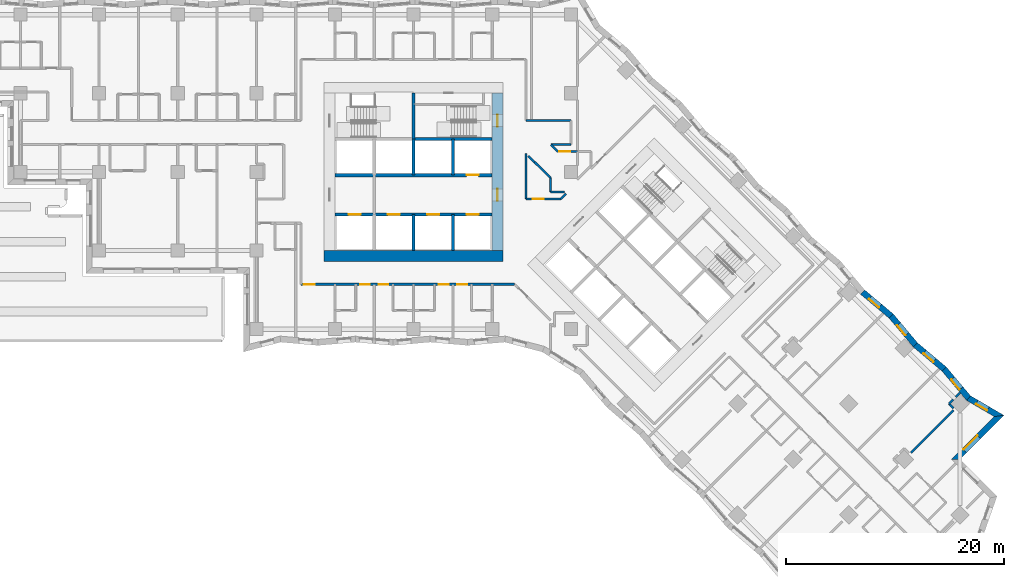
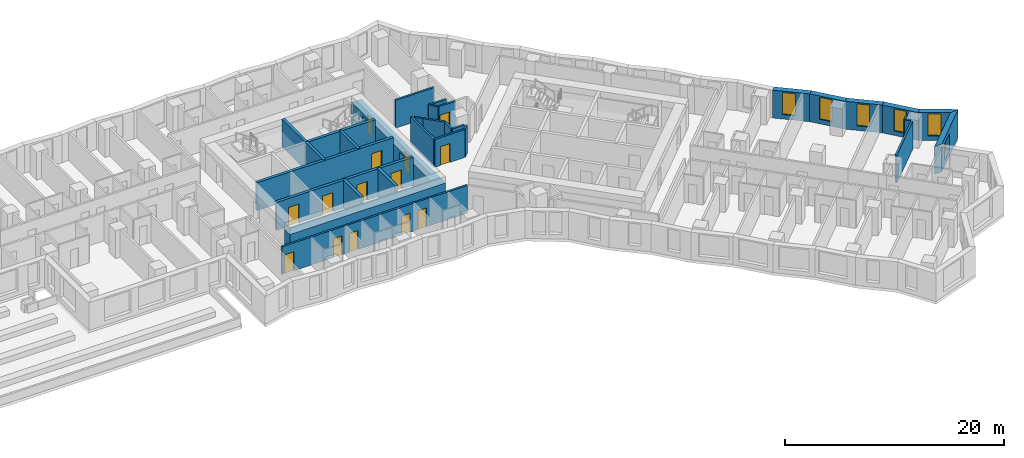
# One storey, part 10 of 15: 32 walls, 14 doors, 6 windows, 20 openings.
"""IFC4 building model written with IfcOpenShell, lengths in metres."""

from ifc_helpers import new_model, si_unit, direction, frame, frame_2d, origin, place, context, subcontext, project, spatial, polyline, rectangle, outline, extrude, material, layer, layer_set, type_object, element, fill, save


model = new_model("IFC4")

# Units and contexts
model_context = context("Model", 3, precision=1e-05, world=origin(), true_north=direction((0.0, 1.0)))
body_context = subcontext(model_context, "Body", "Model", "MODEL_VIEW")
ifc_project = project(units=[si_unit("LENGTHUNIT", "METRE"), si_unit("AREAUNIT", "SQUARE_METRE"), si_unit("VOLUMEUNIT", "CUBIC_METRE"), si_unit("PLANEANGLEUNIT", "RADIAN"), si_unit("MASSUNIT", "GRAM", prefix="KILO")], contexts=[model_context])

# Site, building, storey
site_placement = place(None, origin())
site = spatial("IfcSite", under=ifc_project, at=site_placement, CompositionType="ELEMENT")
building_placement = place(site_placement, origin())
building = spatial("IfcBuilding", under=site, at=building_placement, Name="Windrow Commons", CompositionType="ELEMENT")
storey_placement = place(building_placement, frame((0.0, 0.0, 27.0)))
storey = spatial("IfcBuildingStorey", under=building, at=storey_placement, Name="L06", CompositionType="ELEMENT", Elevation=27.0)

# Wall, opening, window
ifc_material_1 = material(Name="Brick masonry, red clay brick", Category="masonry")
ifc_layer_1 = layer(ifc_material_1, 0.55)
ifc_layer_set_1 = layer_set([ifc_layer_1], Name="Brick facade wall 550")
wall_type_1 = type_object("IfcWallType", Name="Brick facade wall 550", PredefinedType="SOLIDWALL", material=ifc_layer_set_1)
wall_1_placement = place(storey_placement, frame((114.4493, 31.2706, 0.0), z_axis=(0.0, 0.0, 1.0), x_axis=(0.7070978821, 0.7071156801, 0.0)))
wall_1 = element("IfcWall", 1, at=wall_1_placement, inside=storey, type_object=wall_type_1, Name="Brick facade wall L06 6", PredefinedType="SOLIDWALL", context=body_context, shape_type="SweptSolid", body=[
    extrude(outline(polyline([(0.275, -0.275), (5.975, -0.275), (5.2621, 0.275), (-0.275, 0.275), (0.275, -0.275)])), origin(), (0.0, 0.0, 1.0), 3.1),
])
opening_1_placement = place(wall_1_placement, frame((1.1375, 0.0, 0.6)))
opening_1 = element("IfcOpeningElement", 2, at=opening_1_placement, cuts=wall_1, Name="Opening W1L", PredefinedType="OPENING", context=body_context, shape_type="SweptSolid", body=[
    extrude(rectangle(XDim=1.8, YDim=1.9, at=frame_2d((0.9, 0.95))), frame((0.0, 0.285, 0.0), z_axis=(0.0, -1.0, 0.0), x_axis=(1.0, 0.0, 0.0)), (0.0, 0.0, 1.0), 0.57),
])
ifc_material_2 = material(Name="Clear float glass in anodised aluminium frame", Category="aluminium")
window_type_1 = type_object("IfcWindowType", Name="Window W1L bedroom 1800x1900", PartitioningType="SINGLE_PANEL", PredefinedType="WINDOW", material=ifc_material_2)
window_1_placement = place(opening_1_placement, origin())
window_1 = element("IfcWindow", 3, at=window_1_placement, inside=storey, type_object=window_type_1, Name="Window L06 6.1", OverallHeight=1.9, OverallWidth=1.8, PartitioningType="SINGLE_PANEL", PredefinedType="WINDOW", context=body_context, shape_type="SweptSolid", body=[
    extrude(rectangle(XDim=1.8, YDim=1.9, at=frame_2d((0.9, 0.95))), frame((0.0, 0.155, 0.0), z_axis=(0.0, -1.0, 0.0), x_axis=(1.0, 0.0, 0.0)), (0.0, 0.0, 1.0), 0.06),
])
fill(opening_1, window_1)

wall_2_placement = place(storey_placement, frame((118.4222, 35.2436, 0.0), z_axis=(0.0, 0.0, 1.0), x_axis=(-0.8634425497, 0.5044471859, 0.0)))
wall_2 = element("IfcWall", 4, at=wall_2_placement, inside=storey, type_object=wall_type_1, Name="Brick facade wall L06 7", PredefinedType="SOLIDWALL", context=body_context, shape_type="SweptSolid", body=[
    extrude(outline(polyline([(-0.3565, -0.275), (3.189, -0.275), (3.2845, 0.275), (0.3565, 0.275), (-0.3565, -0.275)])), origin(), (0.0, 0.0, 1.0), 3.1),
])
opening_2_placement = place(wall_2_placement, frame((1.1966, 0.0, 0.5)))
opening_2 = element("IfcOpeningElement", 5, at=opening_2_placement, cuts=wall_2, Name="Opening W7D", PredefinedType="OPENING", context=body_context, shape_type="SweptSolid", body=[
    extrude(rectangle(XDim=1.2, YDim=2.45, at=frame_2d((0.6, 1.225))), frame((0.0, 0.285, 0.0), z_axis=(0.0, -1.0, 0.0), x_axis=(1.0, 0.0, 0.0)), (0.0, 0.0, 1.0), 0.57),
])
ifc_material_3 = material(Name="Clear float glass in anodised aluminium frame", Category="aluminium")
window_type_2 = type_object("IfcWindowType", Name="Window W7 notch 1200x2450", PartitioningType="SINGLE_PANEL", PredefinedType="WINDOW", material=ifc_material_3)
window_2_placement = place(opening_2_placement, origin())
window_2 = element("IfcWindow", 6, at=window_2_placement, inside=storey, type_object=window_type_2, Name="Window L06 7.1", OverallHeight=2.45, OverallWidth=1.2, PartitioningType="SINGLE_PANEL", PredefinedType="WINDOW", context=body_context, shape_type="SweptSolid", body=[
    extrude(rectangle(XDim=1.2, YDim=2.45, at=frame_2d((0.6, 1.225))), frame((0.0, 0.155, 0.0), z_axis=(0.0, -1.0, 0.0), x_axis=(1.0, 0.0, 0.0)), (0.0, 0.0, 1.0), 0.06),
])
fill(opening_2, window_2)

wall_3_placement = place(storey_placement, frame((115.6274, 36.8764, 0.0), z_axis=(0.0, 0.0, 1.0), x_axis=(-0.6427914459, 0.7660412241, 0.0)))
wall_3 = element("IfcWall", 7, at=wall_3_placement, inside=storey, type_object=wall_type_1, Name="Brick facade wall L06 8", PredefinedType="SOLIDWALL", context=body_context, shape_type="SweptSolid", body=[
    extrude(outline(polyline([(0.0478, -0.275), (3.4902, -0.275), (3.4421, 0.275), (-0.0478, 0.275), (0.0478, -0.275)])), origin(), (0.0, 0.0, 1.0), 3.1),
])
opening_3_placement = place(wall_3_placement, frame((1.1211, 0.0, 0.5)))
opening_3 = element("IfcOpeningElement", 8, at=opening_3_placement, cuts=wall_3, Name="Opening W7D", PredefinedType="OPENING", context=body_context, shape_type="SweptSolid", body=[
    extrude(rectangle(XDim=1.2, YDim=2.45, at=frame_2d((0.6, 1.225))), frame((0.0, 0.285, 0.0), z_axis=(0.0, -1.0, 0.0), x_axis=(1.0, 0.0, 0.0)), (0.0, 0.0, 1.0), 0.57),
])
window_3_placement = place(opening_3_placement, origin())
window_3 = element("IfcWindow", 9, at=window_3_placement, inside=storey, type_object=window_type_2, Name="Window L06 8.1", OverallHeight=2.45, OverallWidth=1.2, PartitioningType="SINGLE_PANEL", PredefinedType="WINDOW", context=body_context, shape_type="SweptSolid", body=[
    extrude(rectangle(XDim=1.2, YDim=2.45, at=frame_2d((0.6, 1.225))), frame((0.0, 0.155, 0.0), z_axis=(0.0, -1.0, 0.0), x_axis=(1.0, 0.0, 0.0)), (0.0, 0.0, 1.0), 0.06),
])
fill(opening_3, window_3)

wall_4_placement = place(storey_placement, frame((113.3994, 39.5316, 0.0), z_axis=(0.0, 0.0, 1.0), x_axis=(-0.7660429609, 0.6427893761, 0.0)))
wall_4 = element("IfcWall", 10, at=wall_4_placement, inside=storey, type_object=wall_type_1, Name="Brick facade wall L06 9", PredefinedType="SOLIDWALL", context=body_context, shape_type="SweptSolid", body=[
    extrude(outline(polyline([(-0.0241, -0.275), (3.4184, -0.275), (3.4665, 0.275), (0.0241, 0.275), (-0.0241, -0.275)])), origin(), (0.0, 0.0, 1.0), 3.1),
])
opening_4_placement = place(wall_4_placement, frame((1.1925, 0.0, 0.5)))
opening_4 = element("IfcOpeningElement", 11, at=opening_4_placement, cuts=wall_4, Name="Opening W7D", PredefinedType="OPENING", context=body_context, shape_type="SweptSolid", body=[
    extrude(rectangle(XDim=1.2, YDim=2.45, at=frame_2d((0.6, 1.225))), frame((0.0, 0.285, 0.0), z_axis=(0.0, -1.0, 0.0), x_axis=(1.0, 0.0, 0.0)), (0.0, 0.0, 1.0), 0.57),
])
window_4_placement = place(opening_4_placement, origin())
window_4 = element("IfcWindow", 12, at=window_4_placement, inside=storey, type_object=window_type_2, Name="Window L06 9.1", OverallHeight=2.45, OverallWidth=1.2, PartitioningType="SINGLE_PANEL", PredefinedType="WINDOW", context=body_context, shape_type="SweptSolid", body=[
    extrude(rectangle(XDim=1.2, YDim=2.45, at=frame_2d((0.6, 1.225))), frame((0.0, 0.155, 0.0), z_axis=(0.0, -1.0, 0.0), x_axis=(1.0, 0.0, 0.0)), (0.0, 0.0, 1.0), 0.06),
])
fill(opening_4, window_4)

wall_5_placement = place(storey_placement, frame((110.7623, 41.7444, 0.0), z_axis=(0.0, 0.0, 1.0), x_axis=(-0.6428036801, 0.7660309582, 0.0)))
wall_5 = element("IfcWall", 13, at=wall_5_placement, inside=storey, type_object=wall_type_1, Name="Brick facade wall L06 10", PredefinedType="SOLIDWALL", context=body_context, shape_type="SweptSolid", body=[
    extrude(outline(polyline([(0.0241, -0.275), (3.4665, -0.275), (3.4184, 0.275), (-0.0241, 0.275), (0.0241, -0.275)])), origin(), (0.0, 0.0, 1.0), 3.1),
])
opening_5_placement = place(wall_5_placement, frame((1.2661, 0.0, 0.5)))
opening_5 = element("IfcOpeningElement", 14, at=opening_5_placement, cuts=wall_5, Name="Opening W7D", PredefinedType="OPENING", context=body_context, shape_type="SweptSolid", body=[
    extrude(rectangle(XDim=1.2, YDim=2.45, at=frame_2d((0.6, 1.225))), frame((0.0, 0.285, 0.0), z_axis=(0.0, -1.0, 0.0), x_axis=(1.0, 0.0, 0.0)), (0.0, 0.0, 1.0), 0.57),
])
window_5_placement = place(opening_5_placement, origin())
window_5 = element("IfcWindow", 15, at=window_5_placement, inside=storey, type_object=window_type_2, Name="Window L06 10.1", OverallHeight=2.45, OverallWidth=1.2, PartitioningType="SINGLE_PANEL", PredefinedType="WINDOW", context=body_context, shape_type="SweptSolid", body=[
    extrude(rectangle(XDim=1.2, YDim=2.45, at=frame_2d((0.6, 1.225))), frame((0.0, 0.155, 0.0), z_axis=(0.0, -1.0, 0.0), x_axis=(1.0, 0.0, 0.0)), (0.0, 0.0, 1.0), 0.06),
])
fill(opening_5, window_5)

wall_6_placement = place(storey_placement, frame((108.5495, 44.3814, 0.0), z_axis=(0.0, 0.0, 1.0), x_axis=(-0.7660309582, 0.6428036801, 0.0)))
wall_6 = element("IfcWall", 16, at=wall_6_placement, inside=storey, type_object=wall_type_1, Name="Brick facade wall L06 11", PredefinedType="SOLIDWALL", context=body_context, shape_type="SweptSolid", body=[
    extrude(outline(polyline([(-0.0241, -0.275), (3.4184, -0.275), (3.4665, 0.275), (0.0241, 0.275), (-0.0241, -0.275)])), origin(), (0.0, 0.0, 1.0), 3.1),
])
opening_6_placement = place(wall_6_placement, frame((1.3638, 0.0, 0.5)))
opening_6 = element("IfcOpeningElement", 17, at=opening_6_placement, cuts=wall_6, Name="Opening W7D", PredefinedType="OPENING", context=body_context, shape_type="SweptSolid", body=[
    extrude(rectangle(XDim=1.2, YDim=2.45, at=frame_2d((0.6, 1.225))), frame((0.0, 0.285, 0.0), z_axis=(0.0, -1.0, 0.0), x_axis=(1.0, 0.0, 0.0)), (0.0, 0.0, 1.0), 0.57),
])
window_6_placement = place(opening_6_placement, origin())
window_6 = element("IfcWindow", 18, at=window_6_placement, inside=storey, type_object=window_type_2, Name="Window L06 11.1", OverallHeight=2.45, OverallWidth=1.2, PartitioningType="SINGLE_PANEL", PredefinedType="WINDOW", context=body_context, shape_type="SweptSolid", body=[
    extrude(rectangle(XDim=1.2, YDim=2.45, at=frame_2d((0.6, 1.225))), frame((0.0, 0.155, 0.0), z_axis=(0.0, -1.0, 0.0), x_axis=(1.0, 0.0, 0.0)), (0.0, 0.0, 1.0), 0.06),
])
fill(opening_6, window_6)

# Wall, openings, doors
ifc_material_4 = material(Name="Blockwork partition", Category="masonry")
ifc_layer_2 = layer(ifc_material_4, 0.2)
ifc_layer_set_2 = layer_set([ifc_layer_2], Name="IW-CORRIDOR-200")
wall_type_2 = type_object("IfcWallType", Name="IW-CORRIDOR-200", PredefinedType="PARTITIONING", material=ifc_layer_set_2)
wall_7_placement = place(storey_placement, frame((54.5, 47.3, 0.0), z_axis=(0.0, 0.0, 1.0), x_axis=(1.0, 0.0, 0.0)))
wall_7 = element("IfcWall", 19, at=wall_7_placement, inside=storey, type_object=wall_type_2, Name="W-L06-W003", PredefinedType="PARTITIONING", context=body_context, shape_type="SweptSolid", body=[
    extrude(rectangle(XDim=19.56, YDim=0.2, at=frame_2d((9.78, 0.0))), origin(), (0.0, 0.0, 1.0), 3.1),
])
opening_7_placement = place(wall_7_placement, frame((0.2434, 0.0, 0.0)))
opening_7 = element("IfcOpeningElement", 20, at=opening_7_placement, cuts=wall_7, Name="Opening D310F", PredefinedType="OPENING", context=body_context, shape_type="SweptSolid", body=[
    extrude(rectangle(XDim=1.0, YDim=2.1, at=frame_2d((0.5, 1.05))), frame((0.0, 0.11, 0.0), z_axis=(0.0, -1.0, 0.0), x_axis=(1.0, 0.0, 0.0)), (0.0, 0.0, 1.0), 0.22),
])
opening_8_placement = place(wall_7_placement, frame((5.4, 0.0, 0.0)))
opening_8 = element("IfcOpeningElement", 21, at=opening_8_placement, cuts=wall_7, Name="Opening D109S", PredefinedType="OPENING", context=body_context, shape_type="SweptSolid", body=[
    extrude(rectangle(XDim=0.9, YDim=2.1, at=frame_2d((0.45, 1.05))), frame((0.0, 0.11, 0.0), z_axis=(0.0, -1.0, 0.0), x_axis=(1.0, 0.0, 0.0)), (0.0, 0.0, 1.0), 0.22),
])
opening_9_placement = place(wall_7_placement, frame((7.1, 0.0, 0.0)))
opening_9 = element("IfcOpeningElement", 22, at=opening_9_placement, cuts=wall_7, Name="Opening D109S", PredefinedType="OPENING", context=body_context, shape_type="SweptSolid", body=[
    extrude(rectangle(XDim=0.9, YDim=2.1, at=frame_2d((0.45, 1.05))), frame((0.0, 0.11, 0.0), z_axis=(0.0, -1.0, 0.0), x_axis=(1.0, 0.0, 0.0)), (0.0, 0.0, 1.0), 0.22),
])
opening_10_placement = place(wall_7_placement, frame((12.6, 0.0, 0.0)))
opening_10 = element("IfcOpeningElement", 23, at=opening_10_placement, cuts=wall_7, Name="Opening D109S", PredefinedType="OPENING", context=body_context, shape_type="SweptSolid", body=[
    extrude(rectangle(XDim=0.9, YDim=2.1, at=frame_2d((0.45, 1.05))), frame((0.0, 0.11, 0.0), z_axis=(0.0, -1.0, 0.0), x_axis=(1.0, 0.0, 0.0)), (0.0, 0.0, 1.0), 0.22),
])
opening_11_placement = place(wall_7_placement, frame((14.3, 0.0, 0.0)))
opening_11 = element("IfcOpeningElement", 24, at=opening_11_placement, cuts=wall_7, Name="Opening D109S", PredefinedType="OPENING", context=body_context, shape_type="SweptSolid", body=[
    extrude(rectangle(XDim=0.9, YDim=2.1, at=frame_2d((0.45, 1.05))), frame((0.0, 0.11, 0.0), z_axis=(0.0, -1.0, 0.0), x_axis=(1.0, 0.0, 0.0)), (0.0, 0.0, 1.0), 0.22),
])
ifc_material_5 = material(Name="Timber door leaf", Category="wood")
door_type_1 = type_object("IfcDoorType", Name="DT-AMENITY-1000", OperationType="SINGLE_SWING_LEFT", PredefinedType="DOOR", material=ifc_material_5)
door_1_placement = place(opening_7_placement, origin())
door_1 = element("IfcDoor", 25, at=door_1_placement, inside=storey, type_object=door_type_1, Name="D-L06-D030", OperationType="SINGLE_SWING_RIGHT", OverallHeight=2.1, OverallWidth=1.0, PredefinedType="DOOR", context=body_context, shape_type="SweptSolid", body=[
    extrude(rectangle(XDim=1.0, YDim=2.1, at=frame_2d((0.5, 1.05))), frame((0.0, 0.025, 0.0), z_axis=(0.0, -1.0, 0.0), x_axis=(1.0, 0.0, 0.0)), (0.0, 0.0, 1.0), 0.05),
])
fill(opening_7, door_1)
ifc_material_6 = material(Name="Timber door leaf", Category="wood")
door_type_2 = type_object("IfcDoorType", Name="DT-BEDROOM-900", OperationType="SINGLE_SWING_LEFT", PredefinedType="DOOR", material=ifc_material_6)
door_2_placement = place(opening_8_placement, origin())
door_2 = element("IfcDoor", 26, at=door_2_placement, inside=storey, type_object=door_type_2, Name="D-L06-D039", OperationType="SINGLE_SWING_LEFT", OverallHeight=2.1, OverallWidth=0.9, PredefinedType="DOOR", context=body_context, shape_type="SweptSolid", body=[
    extrude(rectangle(XDim=0.9, YDim=2.1, at=frame_2d((0.45, 1.05))), frame((0.0, 0.025, 0.0), z_axis=(0.0, -1.0, 0.0), x_axis=(1.0, 0.0, 0.0)), (0.0, 0.0, 1.0), 0.05),
])
fill(opening_8, door_2)
door_3_placement = place(opening_9_placement, origin())
door_3 = element("IfcDoor", 27, at=door_3_placement, inside=storey, type_object=door_type_2, Name="D-L06-D041", OperationType="SINGLE_SWING_RIGHT", OverallHeight=2.1, OverallWidth=0.9, PredefinedType="DOOR", context=body_context, shape_type="SweptSolid", body=[
    extrude(rectangle(XDim=0.9, YDim=2.1, at=frame_2d((0.45, 1.05))), frame((0.0, 0.025, 0.0), z_axis=(0.0, -1.0, 0.0), x_axis=(1.0, 0.0, 0.0)), (0.0, 0.0, 1.0), 0.05),
])
fill(opening_9, door_3)
door_4_placement = place(opening_10_placement, origin())
door_4 = element("IfcDoor", 28, at=door_4_placement, inside=storey, type_object=door_type_2, Name="D-L06-D043", OperationType="SINGLE_SWING_LEFT", OverallHeight=2.1, OverallWidth=0.9, PredefinedType="DOOR", context=body_context, shape_type="SweptSolid", body=[
    extrude(rectangle(XDim=0.9, YDim=2.1, at=frame_2d((0.45, 1.05))), frame((0.0, 0.025, 0.0), z_axis=(0.0, -1.0, 0.0), x_axis=(1.0, 0.0, 0.0)), (0.0, 0.0, 1.0), 0.05),
])
fill(opening_10, door_4)
door_5_placement = place(opening_11_placement, origin())
door_5 = element("IfcDoor", 29, at=door_5_placement, inside=storey, type_object=door_type_2, Name="D-L06-D045", OperationType="SINGLE_SWING_RIGHT", OverallHeight=2.1, OverallWidth=0.9, PredefinedType="DOOR", context=body_context, shape_type="SweptSolid", body=[
    extrude(rectangle(XDim=0.9, YDim=2.1, at=frame_2d((0.45, 1.05))), frame((0.0, 0.025, 0.0), z_axis=(0.0, -1.0, 0.0), x_axis=(1.0, 0.0, 0.0)), (0.0, 0.0, 1.0), 0.05),
])
fill(opening_11, door_5)

# Walls
wall_8_placement = place(storey_placement, frame((75.1, 55.102, 0.0), z_axis=(0.0, 0.0, 1.0), x_axis=(0.0, 1.0, 0.0)))
element("IfcWall", 30, at=wall_8_placement, inside=storey, type_object=wall_type_2, Name="W-L06-W056", PredefinedType="PARTITIONING", context=body_context, shape_type="SweptSolid", body=[
    extrude(rectangle(XDim=4.166, YDim=0.2, at=frame_2d((2.083, 0.0))), origin(), (0.0, 0.0, 1.0), 3.1),
])
wall_9_placement = place(storey_placement, frame((75.102, 62.3, 0.0), z_axis=(0.0, 0.0, 1.0), x_axis=(1.0, 0.0, 0.0)))
element("IfcWall", 31, at=wall_9_placement, inside=storey, type_object=wall_type_2, Name="W-L06-W058", PredefinedType="PARTITIONING", context=body_context, shape_type="SweptSolid", body=[
    extrude(rectangle(XDim=4.098, YDim=0.2, at=frame_2d((2.049, 0.0))), origin(), (0.0, 0.0, 1.0), 3.1),
])

# Wall, opening, door
wall_10_placement = place(storey_placement, frame((75.102, 55.1, 0.0), z_axis=(0.0, 0.0, 1.0), x_axis=(1.0, 0.0, 0.0)))
wall_10 = element("IfcWall", 32, at=wall_10_placement, inside=storey, type_object=wall_type_2, Name="W-L06-W068", PredefinedType="PARTITIONING", context=body_context, shape_type="SweptSolid", body=[
    extrude(rectangle(XDim=3.178, YDim=0.2, at=frame_2d((1.589, 0.0))), origin(), (0.0, 0.0, 1.0), 3.1),
])
opening_12_placement = place(wall_10_placement, frame((0.5937, 0.0, 0.0)))
opening_12 = element("IfcOpeningElement", 33, at=opening_12_placement, cuts=wall_10, Name="Opening D310F", PredefinedType="OPENING", context=body_context, shape_type="SweptSolid", body=[
    extrude(rectangle(XDim=1.0, YDim=2.1, at=frame_2d((0.5, 1.05))), frame((0.0, 0.11, 0.0), z_axis=(0.0, -1.0, 0.0), x_axis=(1.0, 0.0, 0.0)), (0.0, 0.0, 1.0), 0.22),
])
door_6_placement = place(opening_12_placement, origin())
door_6 = element("IfcDoor", 34, at=door_6_placement, inside=storey, type_object=door_type_1, Name="D-L06-D000", OperationType="SINGLE_SWING_LEFT", OverallHeight=2.1, OverallWidth=1.0, PredefinedType="DOOR", context=body_context, shape_type="SweptSolid", body=[
    extrude(rectangle(XDim=1.0, YDim=2.1, at=frame_2d((0.5, 1.05))), frame((0.0, 0.025, 0.0), z_axis=(0.0, -1.0, 0.0), x_axis=(1.0, 0.0, 0.0)), (0.0, 0.0, 1.0), 0.05),
])
fill(opening_12, door_6)

# Walls
wall_11_placement = place(storey_placement, frame((75.8791, 58.4971, 0.0), z_axis=(0.0, 0.0, 1.0), x_axis=(0.7075866635, -0.706626573, 0.0)))
element("IfcWall", 35, at=wall_11_placement, inside=storey, type_object=wall_type_2, Name="W-L06-W133", PredefinedType="PARTITIONING", context=body_context, shape_type="SweptSolid", body=[
    extrude(rectangle(XDim=2.0831, YDim=0.2, at=frame_2d((1.0415, 0.0))), origin(), (0.0, 0.0, 1.0), 3.1),
])
wall_12_placement = place(storey_placement, frame((77.384, 60.1, 0.0), z_axis=(0.0, 0.0, 1.0), x_axis=(1.0, 0.0, 0.0)))
element("IfcWall", 36, at=wall_12_placement, inside=storey, type_object=wall_type_2, Name="W-L06-W159", PredefinedType="PARTITIONING", context=body_context, shape_type="SweptSolid", body=[
    extrude(rectangle(XDim=1.814, YDim=0.2, at=frame_2d((0.907, 0.0))), origin(), (0.0, 0.0, 1.0), 3.1),
])

# Wall, opening, door
wall_13_placement = place(storey_placement, frame((78.032, 59.45, 0.0), z_axis=(0.0, 0.0, 1.0), x_axis=(1.0, 0.0, 0.0)))
wall_13 = element("IfcWall", 37, at=wall_13_placement, inside=storey, type_object=wall_type_2, Name="W-L06-W162", PredefinedType="PARTITIONING", context=body_context, shape_type="SweptSolid", body=[
    extrude(rectangle(XDim=1.768, YDim=0.2, at=frame_2d((0.884, 0.0))), origin(), (0.0, 0.0, 1.0), 3.1),
])
opening_13_placement = place(wall_13_placement, frame((0.1264, 0.0, 0.0)))
opening_13 = element("IfcOpeningElement", 38, at=opening_13_placement, cuts=wall_13, Name="Opening D310F", PredefinedType="OPENING", context=body_context, shape_type="SweptSolid", body=[
    extrude(rectangle(XDim=1.0, YDim=2.1, at=frame_2d((0.5, 1.05))), frame((0.0, 0.11, 0.0), z_axis=(0.0, -1.0, 0.0), x_axis=(1.0, 0.0, 0.0)), (0.0, 0.0, 1.0), 0.22),
])
door_7_placement = place(opening_13_placement, origin())
door_7 = element("IfcDoor", 39, at=door_7_placement, inside=storey, type_object=door_type_1, Name="D-L06-D048", OperationType="SINGLE_SWING_LEFT", OverallHeight=2.1, OverallWidth=1.0, PredefinedType="DOOR", context=body_context, shape_type="SweptSolid", body=[
    extrude(rectangle(XDim=1.0, YDim=2.1, at=frame_2d((0.5, 1.05))), frame((0.0, 0.025, 0.0), z_axis=(0.0, -1.0, 0.0), x_axis=(1.0, 0.0, 0.0)), (0.0, 0.0, 1.0), 0.05),
])
fill(opening_13, door_7)

# Walls
for number, where, z_axis, x_axis, name in (
    (40, (77.352, 55.75, 0.0), (0.0, 0.0, 1.0), (1.0, 0.0, 0.0), "W-L06-W177"),
    (41, (77.35, 55.752, 0.0), (0.0, 0.0, 1.0), (0.0, 1.0, 0.0), "W-L06-W178"),
):
    element("IfcWall", number, at=place(storey_placement, frame(where, z_axis=z_axis, x_axis=x_axis)), inside=storey, type_object=wall_type_2, Name=name, PredefinedType="PARTITIONING", context=body_context, shape_type="SweptSolid", body=[
        extrude(rectangle(XDim=1.268, YDim=0.2, at=frame_2d((0.634, 0.0))), origin(), (0.0, 0.0, 1.0), 3.1),
    ])
wall_14_placement = place(storey_placement, frame((77.3809, 60.0949, 0.0), z_axis=(0.0, 0.0, 1.0), x_axis=(0.7071067812, -0.7071067812, 0.0)))
element("IfcWall", 42, at=wall_14_placement, inside=storey, type_object=wall_type_2, Name="W-L06-W187", PredefinedType="PARTITIONING", context=body_context, shape_type="SweptSolid", body=[
    extrude(rectangle(XDim=0.9164, YDim=0.2, at=frame_2d((0.4582, 0.0))), origin(), (0.0, 0.0, 1.0), 3.1),
])
wall_15_placement = place(storey_placement, frame((75.2972, 59.0672, 0.0), z_axis=(0.0, 0.0, 1.0), x_axis=(0.7071067812, -0.7071067812, 0.0)))
element("IfcWall", 43, at=wall_15_placement, inside=storey, type_object=wall_type_2, Name="W-L06-W188", PredefinedType="PARTITIONING", context=body_context, shape_type="SweptSolid", body=[
    extrude(rectangle(XDim=0.8146, YDim=0.2, at=frame_2d((0.4073, 0.0))), origin(), (0.0, 0.0, 1.0), 3.1),
])
wall_16_placement = place(storey_placement, frame((78.2795, 55.1005, 0.0), z_axis=(0.0, 0.0, 1.0), x_axis=(0.7071067812, 0.7071067812, 0.0)))
element("IfcWall", 44, at=wall_16_placement, inside=storey, type_object=wall_type_2, Name="W-L06-W190", PredefinedType="PARTITIONING", context=body_context, shape_type="SweptSolid", body=[
    extrude(rectangle(XDim=0.7014, YDim=0.2, at=frame_2d((0.3507, 0.0))), origin(), (0.0, 0.0, 1.0), 3.1),
])
ifc_material_7 = material(Name="Blockwork partition", Category="masonry")
ifc_layer_3 = layer(ifc_material_7, 0.2)
ifc_layer_set_3 = layer_set([ifc_layer_3], Name="IW-PARTY-200")
wall_type_3 = type_object("IfcWallType", Name="IW-PARTY-200", PredefinedType="PARTITIONING", material=ifc_layer_set_3)
wall_17_placement = place(storey_placement, frame((110.3454, 31.8706, 0.0), z_axis=(0.0, 0.0, 1.0), x_axis=(0.7071067812, 0.7071067812, 0.0)))
element("IfcWall", 45, at=wall_17_placement, inside=storey, type_object=wall_type_3, Name="W-L06-W043", PredefinedType="PARTITIONING", context=body_context, shape_type="SweptSolid", body=[
    extrude(rectangle(XDim=5.5041, YDim=0.2, at=frame_2d((2.7521, 0.0))), origin(), (0.0, 0.0, 1.0), 3.1),
])
wall_18_placement = place(storey_placement, frame((113.8434, 36.3586, 0.0), z_axis=(0.0, 0.0, 1.0), x_axis=(0.7071067812, 0.7071067812, 0.0)))
element("IfcWall", 46, at=wall_18_placement, inside=storey, type_object=wall_type_3, Name="W-L06-W196", PredefinedType="PARTITIONING", context=body_context, shape_type="SweptSolid", body=[
    extrude(rectangle(XDim=0.5572, YDim=0.2, at=frame_2d((0.2786, 0.0))), origin(), (0.0, 0.0, 1.0), 3.1),
])
wall_19_placement = place(storey_placement, frame((113.8446, 36.3586, 0.0), z_axis=(0.0, 0.0, 1.0), x_axis=(0.7089037401, -0.705305244, 0.0)))
element("IfcWall", 47, at=wall_19_placement, inside=storey, type_object=wall_type_3, Name="W-L06-W205", PredefinedType="PARTITIONING", context=body_context, shape_type="SweptSolid", body=[
    extrude(rectangle(XDim=0.5558, YDim=0.2, at=frame_2d((0.2779, 0.0))), origin(), (0.0, 0.0, 1.0), 3.1),
])
wall_20_placement = place(storey_placement, frame((114.4474, 36.9626, 0.0), z_axis=(0.0, 0.0, 1.0), x_axis=(0.7071067812, 0.7071067812, 0.0)))
element("IfcWall", 48, at=wall_20_placement, inside=storey, type_object=wall_type_3, Name="W-L06-W208", PredefinedType="PARTITIONING", context=body_context, shape_type="SweptSolid", body=[
    extrude(rectangle(XDim=0.5757, YDim=0.2, at=frame_2d((0.2878, 0.0))), origin(), (0.0, 0.0, 1.0), 3.1),
])
ifc_material_8 = material(Name="Concrete C60/75", Category="concrete")
ifc_layer_4 = layer(ifc_material_8, 1.0)
ifc_layer_set_4 = layer_set([ifc_layer_4], Name="RC CORE WALL 1000 C60/75")
wall_type_4 = type_object("IfcWallType", Name="RC CORE WALL 1000 C60/75", PredefinedType="SHEAR", material=ifc_layer_set_4)
wall_21_placement = place(storey_placement, frame((56.6, 49.9, -0.3), z_axis=(0.0, 0.0, 1.0), x_axis=(1.0, 0.0, 0.0)))
element("IfcWall", 49, at=wall_21_placement, inside=storey, type_object=wall_type_4, Name="Core A wall outer-S", PredefinedType="SHEAR", context=body_context, shape_type="SweptSolid", body=[
    extrude(rectangle(XDim=16.4, YDim=1.0, at=frame_2d((8.2, 0.0))), origin(), (0.0, 0.0, 1.0), 2.7),
])

# Wall, openings, doors
wall_22_placement = place(storey_placement, frame((72.5, 50.4, -0.3), z_axis=(0.0, 0.0, 1.0), x_axis=(0.0, 1.0, 0.0)))
wall_22 = element("IfcWall", 50, at=wall_22_placement, inside=storey, type_object=wall_type_4, Name="Core A wall outer-E", PredefinedType="SHEAR", context=body_context, shape_type="SweptSolid", body=[
    extrude(rectangle(XDim=14.4, YDim=1.0, at=frame_2d((7.2, 0.0))), origin(), (0.0, 0.0, 1.0), 2.7),
])
opening_14_placement = place(wall_22_placement, frame((4.55, 0.0, 0.3)))
opening_14 = element("IfcOpeningElement", 51, at=opening_14_placement, cuts=wall_22, Name="Opening D6", PredefinedType="OPENING", context=body_context, shape_type="SweptSolid", body=[
    extrude(rectangle(XDim=1.1, YDim=2.1, at=frame_2d((0.55, 1.05))), frame((0.0, 0.51, 0.0), z_axis=(0.0, -1.0, 0.0), x_axis=(1.0, 0.0, 0.0)), (0.0, 0.0, 1.0), 1.02),
])
opening_15_placement = place(wall_22_placement, frame((11.35, 0.0, 0.3)))
opening_15 = element("IfcOpeningElement", 52, at=opening_15_placement, cuts=wall_22, Name="Opening D7", PredefinedType="OPENING", context=body_context, shape_type="SweptSolid", body=[
    extrude(rectangle(XDim=1.1, YDim=2.1, at=frame_2d((0.55, 1.05))), frame((0.0, 0.51, 0.0), z_axis=(0.0, -1.0, 0.0), x_axis=(1.0, 0.0, 0.0)), (0.0, 0.0, 1.0), 1.02),
])
ifc_material_9 = material(Name="Steel fire door leaf", Category="steel")
door_type_3 = type_object("IfcDoorType", Name="Core lobby door 1100", OperationType="SINGLE_SWING_LEFT", PredefinedType="DOOR", material=ifc_material_9)
door_8_placement = place(opening_14_placement, origin())
door_8 = element("IfcDoor", 53, at=door_8_placement, inside=storey, type_object=door_type_3, Name="Lift lobby door", OperationType="DOUBLE_DOOR_SINGLE_SWING", OverallHeight=2.1, OverallWidth=1.1, PredefinedType="DOOR", context=body_context, shape_type="SweptSolid", body=[
    extrude(rectangle(XDim=1.1, YDim=2.1, at=frame_2d((0.55, 1.05))), frame((0.0, 0.025, 0.0), z_axis=(0.0, -1.0, 0.0), x_axis=(1.0, 0.0, 0.0)), (0.0, 0.0, 1.0), 0.05),
])
fill(opening_14, door_8)
ifc_material_10 = material(Name="Steel fire door leaf", Category="steel")
door_type_4 = type_object("IfcDoorType", Name="Stair door 1100", OperationType="SINGLE_SWING_LEFT", PredefinedType="DOOR", material=ifc_material_10)
door_9_placement = place(opening_15_placement, origin())
door_9 = element("IfcDoor", 54, at=door_9_placement, inside=storey, type_object=door_type_4, Name="Stair door", OperationType="SINGLE_SWING_RIGHT", OverallHeight=2.1, OverallWidth=1.1, PredefinedType="DOOR", context=body_context, shape_type="SweptSolid", body=[
    extrude(rectangle(XDim=1.1, YDim=2.1, at=frame_2d((0.55, 1.05))), frame((0.0, 0.025, 0.0), z_axis=(0.0, -1.0, 0.0), x_axis=(1.0, 0.0, 0.0)), (0.0, 0.0, 1.0), 0.05),
])
fill(opening_15, door_9)

# Walls
ifc_material_11 = material(Name="Concrete C60/75", Category="concrete")
ifc_layer_5 = layer(ifc_material_11, 0.3)
ifc_layer_set_5 = layer_set([ifc_layer_5], Name="RC SHAFT WALL 300 C60/75")
wall_type_5 = type_object("IfcWallType", Name="RC SHAFT WALL 300 C60/75", PredefinedType="SOLIDWALL", material=ifc_layer_set_5)
for number, where, z_axis, x_axis, name in (
    (55, (64.8, 50.4, 0.0), (0.0, 0.0, 1.0), (0.0, 1.0, 0.0), "Core A wall shaft-S2"),
    (56, (64.8, 57.3, 0.0), (0.0, 0.0, 1.0), (0.0, 1.0, 0.0), "Core A wall shaft-N2"),
    (57, (68.4, 50.4, 0.0), (0.0, 0.0, 1.0), (0.0, 1.0, 0.0), "Core A wall shaft-S3"),
    (58, (68.4, 57.3, 0.0), (0.0, 0.0, 1.0), (0.0, 1.0, 0.0), "Core A wall shaft-N3"),
):
    element("IfcWall", number, at=place(storey_placement, frame(where, z_axis=z_axis, x_axis=x_axis)), inside=storey, type_object=wall_type_5, Name=name, PredefinedType="SOLIDWALL", context=body_context, shape_type="SweptSolid", body=[
        extrude(rectangle(XDim=3.3, YDim=0.3, at=frame_2d((1.65, 0.0))), origin(), (0.0, 0.0, 1.0), 3.1),
    ])

# Wall, openings, doors
wall_23_placement = place(storey_placement, frame((57.6, 53.7, 0.0), z_axis=(0.0, 0.0, 1.0), x_axis=(1.0, 0.0, 0.0)))
wall_23 = element("IfcWall", 59, at=wall_23_placement, inside=storey, type_object=wall_type_5, Name="Core A wall lobby-S", PredefinedType="SOLIDWALL", context=body_context, shape_type="SweptSolid", body=[
    extrude(rectangle(XDim=14.4, YDim=0.3, at=frame_2d((7.2, 0.0))), origin(), (0.0, 0.0, 1.0), 3.1),
])
opening_16_placement = place(wall_23_placement, frame((1.25, 0.0, 0.0)))
opening_16 = element("IfcOpeningElement", 60, at=opening_16_placement, cuts=wall_23, Name="Opening LD", PredefinedType="OPENING", context=body_context, shape_type="SweptSolid", body=[
    extrude(rectangle(XDim=1.1, YDim=2.1, at=frame_2d((0.55, 1.05))), frame((0.0, 0.16, 0.0), z_axis=(0.0, -1.0, 0.0), x_axis=(1.0, 0.0, 0.0)), (0.0, 0.0, 1.0), 0.32),
])
opening_17_placement = place(wall_23_placement, frame((4.85, 0.0, 0.0)))
opening_17 = element("IfcOpeningElement", 61, at=opening_17_placement, cuts=wall_23, Name="Opening LD", PredefinedType="OPENING", context=body_context, shape_type="SweptSolid", body=[
    extrude(rectangle(XDim=1.1, YDim=2.1, at=frame_2d((0.55, 1.05))), frame((0.0, 0.16, 0.0), z_axis=(0.0, -1.0, 0.0), x_axis=(1.0, 0.0, 0.0)), (0.0, 0.0, 1.0), 0.32),
])
opening_18_placement = place(wall_23_placement, frame((8.45, 0.0, 0.0)))
opening_18 = element("IfcOpeningElement", 62, at=opening_18_placement, cuts=wall_23, Name="Opening LD", PredefinedType="OPENING", context=body_context, shape_type="SweptSolid", body=[
    extrude(rectangle(XDim=1.1, YDim=2.1, at=frame_2d((0.55, 1.05))), frame((0.0, 0.16, 0.0), z_axis=(0.0, -1.0, 0.0), x_axis=(1.0, 0.0, 0.0)), (0.0, 0.0, 1.0), 0.32),
])
opening_19_placement = place(wall_23_placement, frame((12.05, 0.0, 0.0)))
opening_19 = element("IfcOpeningElement", 63, at=opening_19_placement, cuts=wall_23, Name="Opening LD", PredefinedType="OPENING", context=body_context, shape_type="SweptSolid", body=[
    extrude(rectangle(XDim=1.1, YDim=2.1, at=frame_2d((0.55, 1.05))), frame((0.0, 0.16, 0.0), z_axis=(0.0, -1.0, 0.0), x_axis=(1.0, 0.0, 0.0)), (0.0, 0.0, 1.0), 0.32),
])
ifc_material_12 = material(Name="Stainless steel door leaf", Category="steel")
door_type_5 = type_object("IfcDoorType", Name="Lift landing door 1100", OperationType="SLIDING_TO_LEFT", PredefinedType="DOOR", material=ifc_material_12)
door_10_placement = place(opening_16_placement, origin())
door_10 = element("IfcDoor", 64, at=door_10_placement, inside=storey, type_object=door_type_5, Name="Lift landing door", OperationType="SLIDING_TO_LEFT", OverallHeight=2.1, OverallWidth=1.1, PredefinedType="DOOR", context=body_context, shape_type="SweptSolid", body=[
    extrude(rectangle(XDim=1.1, YDim=2.1, at=frame_2d((0.55, 1.05))), frame((0.0, 0.025, 0.0), z_axis=(0.0, -1.0, 0.0), x_axis=(1.0, 0.0, 0.0)), (0.0, 0.0, 1.0), 0.05),
])
fill(opening_16, door_10)
door_11_placement = place(opening_17_placement, origin())
door_11 = element("IfcDoor", 65, at=door_11_placement, inside=storey, type_object=door_type_5, Name="Lift landing door", OperationType="SLIDING_TO_RIGHT", OverallHeight=2.1, OverallWidth=1.1, PredefinedType="DOOR", context=body_context, shape_type="SweptSolid", body=[
    extrude(rectangle(XDim=1.1, YDim=2.1, at=frame_2d((0.55, 1.05))), frame((0.0, 0.025, 0.0), z_axis=(0.0, -1.0, 0.0), x_axis=(1.0, 0.0, 0.0)), (0.0, 0.0, 1.0), 0.05),
])
fill(opening_17, door_11)
door_12_placement = place(opening_18_placement, origin())
door_12 = element("IfcDoor", 66, at=door_12_placement, inside=storey, type_object=door_type_5, Name="Lift landing door", OperationType="SLIDING_TO_LEFT", OverallHeight=2.1, OverallWidth=1.1, PredefinedType="DOOR", context=body_context, shape_type="SweptSolid", body=[
    extrude(rectangle(XDim=1.1, YDim=2.1, at=frame_2d((0.55, 1.05))), frame((0.0, 0.025, 0.0), z_axis=(0.0, -1.0, 0.0), x_axis=(1.0, 0.0, 0.0)), (0.0, 0.0, 1.0), 0.05),
])
fill(opening_18, door_12)
door_13_placement = place(opening_19_placement, origin())
door_13 = element("IfcDoor", 67, at=door_13_placement, inside=storey, type_object=door_type_5, Name="Lift landing door", OperationType="SLIDING_TO_RIGHT", OverallHeight=2.1, OverallWidth=1.1, PredefinedType="DOOR", context=body_context, shape_type="SweptSolid", body=[
    extrude(rectangle(XDim=1.1, YDim=2.1, at=frame_2d((0.55, 1.05))), frame((0.0, 0.025, 0.0), z_axis=(0.0, -1.0, 0.0), x_axis=(1.0, 0.0, 0.0)), (0.0, 0.0, 1.0), 0.05),
])
fill(opening_19, door_13)

# Wall, opening, door
wall_24_placement = place(storey_placement, frame((57.6, 57.3, 0.0), z_axis=(0.0, 0.0, 1.0), x_axis=(1.0, 0.0, 0.0)))
wall_24 = element("IfcWall", 68, at=wall_24_placement, inside=storey, type_object=wall_type_5, Name="Core A wall lobby-N", PredefinedType="SOLIDWALL", context=body_context, shape_type="SweptSolid", body=[
    extrude(rectangle(XDim=14.4, YDim=0.3, at=frame_2d((7.2, 0.0))), origin(), (0.0, 0.0, 1.0), 3.1),
])
opening_20_placement = place(wall_24_placement, frame((12.05, 0.0, 0.0)))
opening_20 = element("IfcOpeningElement", 69, at=opening_20_placement, cuts=wall_24, Name="Opening LD", PredefinedType="OPENING", context=body_context, shape_type="SweptSolid", body=[
    extrude(rectangle(XDim=1.1, YDim=2.1, at=frame_2d((0.55, 1.05))), frame((0.0, 0.16, 0.0), z_axis=(0.0, -1.0, 0.0), x_axis=(1.0, 0.0, 0.0)), (0.0, 0.0, 1.0), 0.32),
])
door_14_placement = place(opening_20_placement, origin())
door_14 = element("IfcDoor", 70, at=door_14_placement, inside=storey, type_object=door_type_5, Name="Lift landing door", OperationType="SLIDING_TO_RIGHT", OverallHeight=2.1, OverallWidth=1.1, PredefinedType="DOOR", context=body_context, shape_type="SweptSolid", body=[
    extrude(rectangle(XDim=1.1, YDim=2.1, at=frame_2d((0.55, 1.05))), frame((0.0, 0.025, 0.0), z_axis=(0.0, -1.0, 0.0), x_axis=(1.0, 0.0, 0.0)), (0.0, 0.0, 1.0), 0.05),
])
fill(opening_20, door_14)

# Walls
wall_25_placement = place(storey_placement, frame((64.8, 60.6, 0.0), z_axis=(0.0, 0.0, 1.0), x_axis=(1.0, 0.0, 0.0)))
element("IfcWall", 71, at=wall_25_placement, inside=storey, type_object=wall_type_5, Name="Core A wall stair-S2", PredefinedType="SOLIDWALL", context=body_context, shape_type="SweptSolid", body=[
    extrude(rectangle(XDim=7.2, YDim=0.3, at=frame_2d((3.6, 0.0))), origin(), (0.0, 0.0, 1.0), 3.1),
])
wall_26_placement = place(storey_placement, frame((64.8, 60.6, 0.0), z_axis=(0.0, 0.0, 1.0), x_axis=(0.0, 1.0, 0.0)))
element("IfcWall", 72, at=wall_26_placement, inside=storey, type_object=wall_type_5, Name="Core A wall stair-mid", PredefinedType="SOLIDWALL", context=body_context, shape_type="SweptSolid", body=[
    extrude(rectangle(XDim=4.2, YDim=0.3, at=frame_2d((2.1, 0.0))), origin(), (0.0, 0.0, 1.0), 3.1),
])

save(model, "model.ifc")
